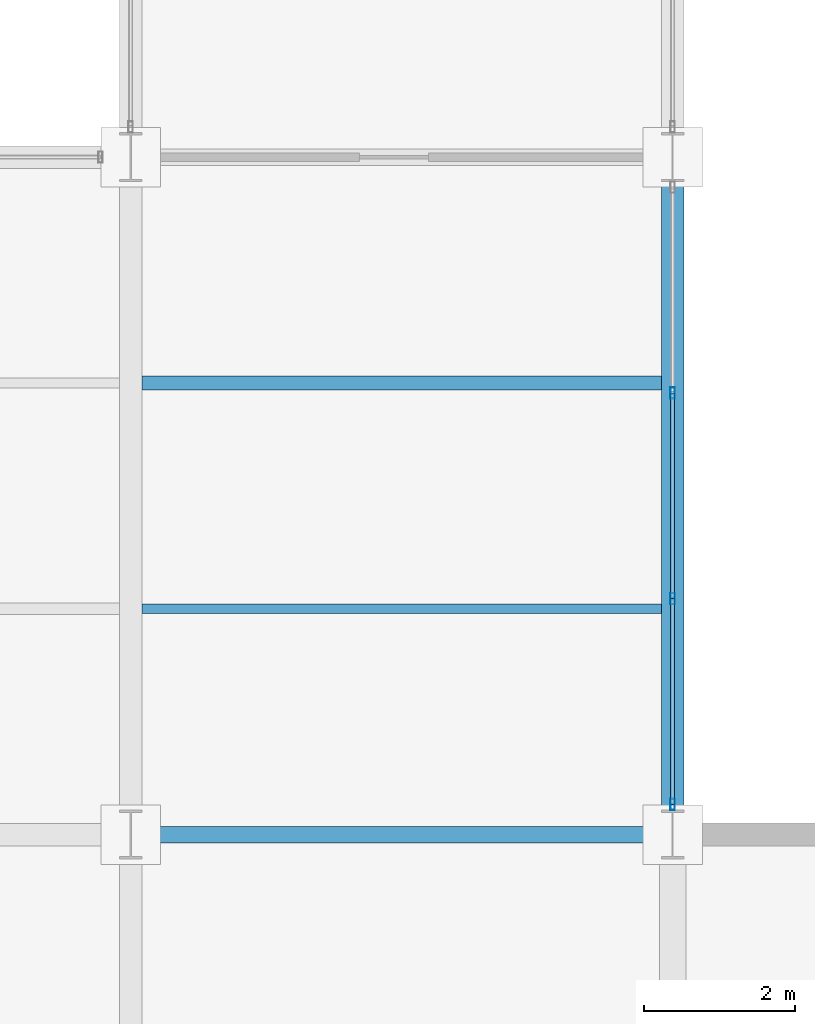
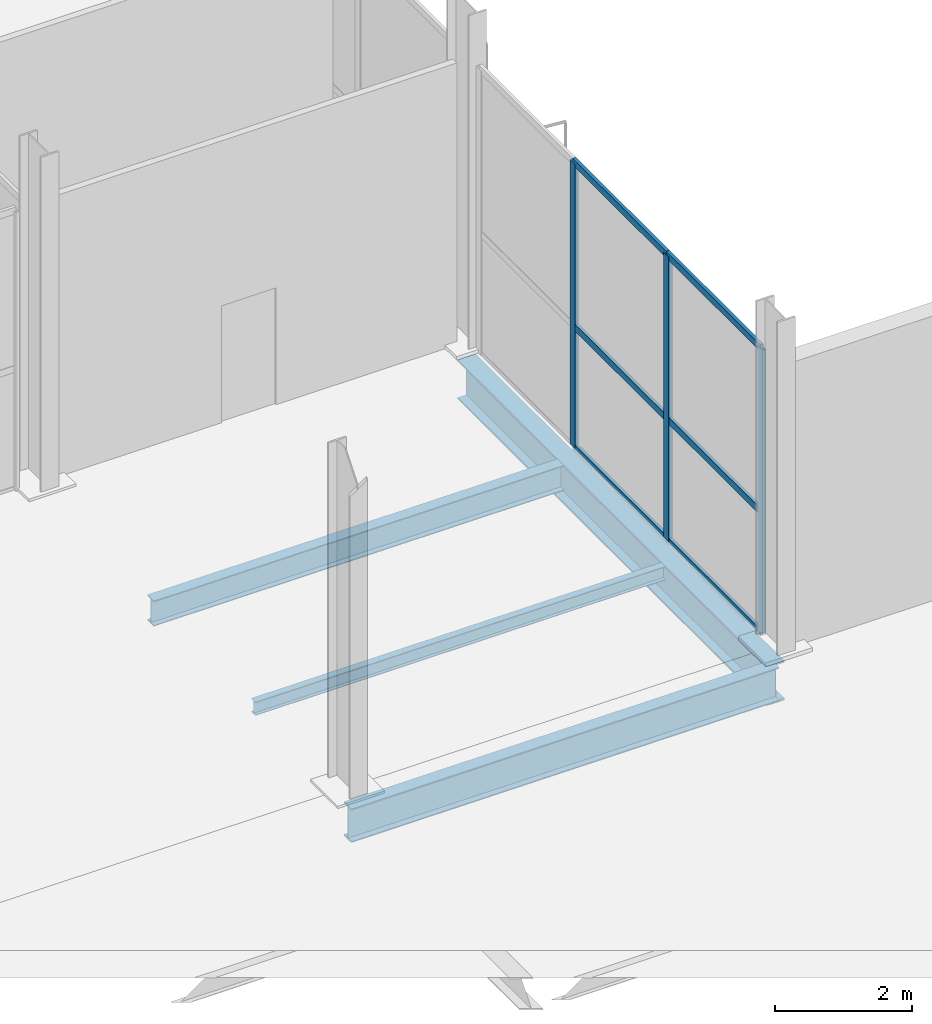
# One storey, part 90 of 144: 9 members, 4 beams, 1 element without a shape of its own.
"""IFC4 building model written with IfcOpenShell, lengths in metres."""

import ifcopenshell
import ifcopenshell.guid

model = None  # the IFC model being written
_history = None  # IfcOwnerHistory: only IFC2X3 demands one
_inside = {}  # id of a spatial element -> (the spatial element, [elements in it])
_under = {}  # id of a project, library or spatial element -> (it, [spatial elements below it])
_declared = {}  # id of a project -> (the project, [libraries it declares])
_typed = {}  # id of a type object -> (the type object, [elements of that type])
_made_of = {}  # id of a material, layer set ... -> (it, [elements and type objects made of it])


def new_model(schema):
    """Start an empty IFC model of exactly this schema.

    Asked for "IFC4X3", IfcOpenShell would pick the latest addendum, in which some entities
    have other attributes; the version numbers below select the first issue.
    IFC2X3 requires an IfcOwnerHistory on every rooted entity: one is made here for all.
    """
    global model, _history
    if schema == "IFC4X3":
        model = ifcopenshell.file(schema_version=(4, 3, 0, 0))
    else:
        model = ifcopenshell.file(schema=schema)
    _inside.clear()
    _under.clear()
    _declared.clear()
    _typed.clear()
    _made_of.clear()
    _history = None
    if model.schema == "IFC2X3":
        org = make("IfcOrganization", Name="unknown")
        user = make(
            "IfcPersonAndOrganization",
            ThePerson=make("IfcPerson", FamilyName="unknown"),
            TheOrganization=org,
        )
        app = make(
            "IfcApplication",
            ApplicationDeveloper=org,
            Version="unknown",
            ApplicationFullName="unknown",
            ApplicationIdentifier="unknown",
        )
        _history = make(
            "IfcOwnerHistory",
            OwningUser=user,
            OwningApplication=app,
            ChangeAction="ADDED",
            CreationDate=0,
        )
    return model


def make(cls, **values):
    """One entity of the class cls with the attributes given. An attribute that is None is left unset."""
    return model.create_entity(
        cls, **{name: value for name, value in values.items() if value is not None}
    )


def rooted(cls, **values):
    """An entity with a GlobalId (a new one), such as an element, a storey or a relation."""
    return make(cls, GlobalId=ifcopenshell.guid.new(), OwnerHistory=_history, **values)


def si_unit(unit_type, name, prefix=None):
    """IfcSIUnit, for example si_unit("LENGTHUNIT", "METRE", prefix="MILLI")."""
    return make("IfcSIUnit", UnitType=unit_type, Prefix=prefix, Name=name)


def assignment(units):
    """IfcUnitAssignment: the units of a project."""
    return None if units is None else make("IfcUnitAssignment", Units=units)


def point(xyz):
    """IfcCartesianPoint."""
    return None if xyz is None else make("IfcCartesianPoint", Coordinates=xyz)


def direction(xyz):
    """IfcDirection."""
    return None if xyz is None else make("IfcDirection", DirectionRatios=xyz)


def frame(location, z_axis=None, x_axis=None):
    """IfcAxis2Placement3D, a coordinate frame: its origin and axes. An axis left out is left unset."""
    return make(
        "IfcAxis2Placement3D",
        Location=point(location),
        Axis=direction(z_axis),
        RefDirection=direction(x_axis),
    )


def frame_2d(location, x_axis=None):
    """IfcAxis2Placement2D, a coordinate frame in the plane: its origin and x axis."""
    return make(
        "IfcAxis2Placement2D", Location=point(location), RefDirection=direction(x_axis)
    )


def origin():
    """The frame at (0, 0, 0) with its axes left unset."""
    return frame((0.0, 0.0, 0.0))


def origin_2d():
    """The frame at (0, 0) in the plane with its x axis left unset."""
    return frame_2d((0.0, 0.0))


def place(relative_to, where):
    """IfcLocalPlacement: puts the frame where relative to a parent placement (None: the world)."""
    return make(
        "IfcLocalPlacement", PlacementRelTo=relative_to, RelativePlacement=where
    )


def context(
    kind, dimensions, precision=None, world=None, true_north=None, identifier=None
):
    """IfcGeometricRepresentationContext, for example the 3D "Model" context."""
    return make(
        "IfcGeometricRepresentationContext",
        ContextIdentifier=identifier,
        ContextType=kind,
        CoordinateSpaceDimension=dimensions,
        Precision=precision,
        WorldCoordinateSystem=world,
        TrueNorth=true_north,
    )


def subcontext(parent, identifier, kind, view, scale=None):
    """IfcGeometricRepresentationSubContext, for example "Body" below "Model"."""
    return make(
        "IfcGeometricRepresentationSubContext",
        ContextIdentifier=identifier,
        ContextType=kind,
        ParentContext=parent,
        TargetScale=scale,
        TargetView=view,
    )


def project(units=None, contexts=None):
    """IfcProject with its units and contexts."""
    return rooted(
        "IfcProject",
        Name="project",
        RepresentationContexts=contexts,
        UnitsInContext=assignment(units),
    )


def spatial(cls, under=None, at=None, **own):
    """A site, building, storey or space (cls), placed at a placement, below another one or the project."""
    s = rooted(cls, ObjectPlacement=at, **own)
    if under is not None:
        _under.setdefault(under.id(), (under, []))[1].append(s)
    return s


def profile(cls, at=None, kind="AREA", **sizes):
    """A parametric profile (cls). Its sizes go by their IFC names, for example OverallWidth=200.0."""
    return make(cls, ProfileType=kind, Position=at, **sizes)


def hollow_rectangle(**sizes):
    """IfcRectangleHollowProfileDef."""
    return profile("IfcRectangleHollowProfileDef", **sizes)


def i_section(**sizes):
    """IfcIShapeProfileDef."""
    return profile("IfcIShapeProfileDef", **sizes)


def extrude(swept, where, along, depth):
    """IfcExtrudedAreaSolid: the profile swept, set in the frame where, extruded along a direction by depth."""
    return make(
        "IfcExtrudedAreaSolid",
        SweptArea=swept,
        Position=where,
        ExtrudedDirection=direction(along),
        Depth=depth,
    )


def shape(context_of_items, identifier, shape_type, items):
    """IfcShapeRepresentation: the items that make up one representation, for example the "Body"."""
    return make(
        "IfcShapeRepresentation",
        ContextOfItems=context_of_items,
        RepresentationIdentifier=identifier,
        RepresentationType=shape_type,
        Items=items,
    )


def material(Name=None, Category=None):
    """IfcMaterial."""
    return make("IfcMaterial", Name=Name, Category=Category)


def layer(
    of_material, thickness, ventilated=None, Name=None, Category=None, Priority=None
):
    """IfcMaterialLayer: one layer of a wall or slab, of a material (None: an air gap)."""
    return make(
        "IfcMaterialLayer",
        Material=of_material,
        LayerThickness=thickness,
        IsVentilated=ventilated,
        Name=Name,
        Category=Category,
        Priority=Priority,
    )


def layer_set(layers, Name=None):
    """IfcMaterialLayerSet."""
    return make("IfcMaterialLayerSet", MaterialLayers=layers, LayerSetName=Name)


def material_profile(
    of_material, cross_section, Name=None, Category=None, Priority=None
):
    """IfcMaterialProfile: a cross section and its material."""
    return make(
        "IfcMaterialProfile",
        Name=Name,
        Material=of_material,
        Profile=cross_section,
        Priority=Priority,
        Category=Category,
    )


def profile_set(profiles, Name=None, composite=None):
    """IfcMaterialProfileSet."""
    return make(
        "IfcMaterialProfileSet",
        Name=Name,
        MaterialProfiles=profiles,
        CompositeProfile=composite,
    )


def made_of(thing, what):
    """Note that an element or type object is made of a material, layer set ...; save() writes the relation."""
    if what is not None:
        _made_of.setdefault(what.id(), (what, []))[1].append(thing)
    return thing


def type_object(cls, material=None, **own):
    """A type object (cls), such as IfcWallType, which elements share."""
    return made_of(rooted(cls, **own), material)


def element(
    cls,
    number,
    at=None,
    inside=None,
    cuts=None,
    type_object=None,
    material=None,
    context=None,
    identifier="Body",
    shape_type=None,
    held_by="IfcProductDefinitionShape",
    body=None,
    shapes=None,
    **own,
):
    """One element of the class cls, such as IfcWall. Its Tag is "e" and its number.

    at: its placement. inside: the storey or other place that contains it. cuts: it is an
    opening in that element (IfcRelVoidsElement). A single representation is given by context,
    identifier, shape_type and body (its items); several are given by shapes. held_by: the class
    of the entity that holds the representations. save() writes the other relations.
    """
    e = rooted(cls, Tag="e%d" % number, ObjectPlacement=at, **own)
    if body is not None:
        shapes = [shape(context, identifier, shape_type, body)]
    if shapes is not None:
        e.Representation = make(held_by, Representations=shapes)
    if inside is not None:
        _inside.setdefault(inside.id(), (inside, []))[1].append(e)
    if cuts is not None:
        rooted(
            "IfcRelVoidsElement", RelatingBuildingElement=cuts, RelatedOpeningElement=e
        )
    if type_object is not None:
        _typed.setdefault(type_object.id(), (type_object, []))[1].append(e)
    return made_of(e, material)


def aggregate(whole, parts):
    """IfcRelAggregates: a whole, such as a stair, and the parts it consists of."""
    return rooted("IfcRelAggregates", RelatingObject=whole, RelatedObjects=parts)


def save(model, path):
    """Write the relations noted so far, then the file.

    IfcRelAggregates (storeys below a building ...), IfcRelContainedInSpatialStructure (elements
    in a storey), IfcRelDefinesByType, IfcRelAssociatesMaterial and IfcRelDeclares: one each for
    every whole, place, type object, material and project.
    """
    for whole, parts in _under.values():
        aggregate(whole, parts)
    for where, things in _inside.values():
        rooted(
            "IfcRelContainedInSpatialStructure",
            RelatedElements=things,
            RelatingStructure=where,
        )
    for kind, things in _typed.values():
        rooted("IfcRelDefinesByType", RelatedObjects=things, RelatingType=kind)
    for what, things in _made_of.values():
        rooted("IfcRelAssociatesMaterial", RelatedObjects=things, RelatingMaterial=what)
    for by, libraries in _declared.values():
        rooted("IfcRelDeclares", RelatingContext=by, RelatedDefinitions=libraries)
    model.write(path)


model = new_model("IFC4")

# Units and contexts
model_context = context("Model", 3, precision=1e-05, world=origin(), true_north=direction((0.0, 1.0)))
body_context = subcontext(model_context, "Body", "Model", "MODEL_VIEW")
ifc_project = project(units=[si_unit("LENGTHUNIT", "METRE"), si_unit("AREAUNIT", "SQUARE_METRE"), si_unit("VOLUMEUNIT", "CUBIC_METRE"), si_unit("PLANEANGLEUNIT", "RADIAN"), si_unit("MASSUNIT", "GRAM", prefix="KILO")], contexts=[model_context])

# Site, building, storey
site_placement = place(None, origin())
site = spatial("IfcSite", under=ifc_project, at=site_placement, CompositionType="ELEMENT")
building_placement = place(site_placement, origin())
building = spatial("IfcBuilding", under=site, at=building_placement, Name="Sundgate Opera House", CompositionType="ELEMENT")
storey_placement = place(building_placement, origin())
storey = spatial("IfcBuildingStorey", under=building, at=storey_placement, Name="L00", CompositionType="ELEMENT", Elevation=0.0)

# Beams
ifc_material_1 = material(Name="Steel S355J2", Category="steel")
ifc_material_profile_1 = material_profile(ifc_material_1, i_section(OverallWidth=0.300048828125, OverallDepth=0.699951171875, WebThickness=0.01708984375, FlangeThickness=0.031982421875, at=origin_2d()), Name="HEB 700")
ifc_profile_set_1 = profile_set([ifc_material_profile_1], Name="Steel S355J2")
beam_type_1 = type_object("IfcBeamType", Name="BM-GR-HEB700", PredefinedType="BEAM", material=ifc_profile_set_1)
beam_1_placement = place(storey_placement, frame((145.800048828125, 33.0, -0.669921875), z_axis=(0.0, 1.0, 0.0), x_axis=(-1.0, 0.0, 0.0)))
element("IfcBeam", 1, at=beam_1_placement, inside=storey, type_object=beam_type_1, Name="L00 Primary N-S Girder B0279", PredefinedType="BEAM", context=body_context, shape_type="SweptSolid", body=[
    extrude(i_section(OverallWidth=0.300048828125, OverallDepth=0.699951171875, WebThickness=0.01708984375, FlangeThickness=0.031982421875, at=origin_2d()), origin(), (0.0, 0.0, 1.0), 9.0),
])
ifc_material_2 = material(Name="Steel S355J2", Category="steel")
ifc_material_profile_2 = material_profile(ifc_material_2, i_section(OverallWidth=0.219970703125, OverallDepth=0.60009765625, WebThickness=0.011962890625, FlangeThickness=0.01904296875, at=origin_2d()), Name="IPE 600")
ifc_profile_set_2 = profile_set([ifc_material_profile_2], Name="Steel S355J2")
beam_type_2 = type_object("IfcBeamType", Name="BM-GR-IPE600", PredefinedType="BEAM", material=ifc_profile_set_2)
beam_2_placement = place(storey_placement, frame((138.60009765625, 33.0, -0.6201171875), z_axis=(1.0, 0.0, 0.0), x_axis=(0.0, 1.0, 0.0)))
element("IfcBeam", 2, at=beam_2_placement, inside=storey, type_object=beam_type_2, Name="L00 Primary E-W Girder B0402", PredefinedType="BEAM", context=body_context, shape_type="SweptSolid", body=[
    extrude(i_section(OverallWidth=0.219970703125, OverallDepth=0.60009765625, WebThickness=0.011962890625, FlangeThickness=0.01904296875, at=origin_2d()), origin(), (0.0, 0.0, 1.0), 7.199951171875),
])
ifc_material_3 = material(Name="Steel S355J2", Category="steel")
ifc_material_profile_3 = material_profile(ifc_material_3, i_section(OverallWidth=0.1201171875, OverallDepth=0.239990234375, WebThickness=0.006103515625, FlangeThickness=0.009765625, at=origin_2d()), Name="IPE 240")
ifc_profile_set_3 = profile_set([ifc_material_profile_3], Name="Steel S355J2")
beam_type_3 = type_object("IfcBeamType", Name="BM-JS-IPE240", PredefinedType="JOIST", material=ifc_profile_set_3)
beam_3_placement = place(storey_placement, frame((138.75, 36.0, -0.43994140625), z_axis=(1.0, 0.0, 0.0), x_axis=(0.0, 1.0, 0.0)))
element("IfcBeam", 3, at=beam_3_placement, inside=storey, type_object=beam_type_3, Name="L00 Secondary Floor Joist B0741", PredefinedType="JOIST", context=body_context, shape_type="SweptSolid", body=[
    extrude(i_section(OverallWidth=0.1201171875, OverallDepth=0.239990234375, WebThickness=0.006103515625, FlangeThickness=0.009765625, at=origin_2d()), origin(), (0.0, 0.0, 1.0), 6.89990234375),
])
ifc_material_4 = material(Name="Steel S355J2", Category="steel")
ifc_material_profile_4 = material_profile(ifc_material_4, i_section(OverallWidth=0.18994140625, OverallDepth=0.449951171875, WebThickness=0.009521484375, FlangeThickness=0.0146484375, at=origin_2d()), Name="IPE 450")
ifc_profile_set_4 = profile_set([ifc_material_profile_4], Name="Steel S355J2")
beam_type_4 = type_object("IfcBeamType", Name="BM-JS-IPE450", PredefinedType="JOIST", material=ifc_profile_set_4)
beam_4_placement = place(storey_placement, frame((138.75, 39.0, -0.544921875), z_axis=(1.0, 0.0, 0.0), x_axis=(0.0, 1.0, 0.0)))
element("IfcBeam", 4, at=beam_4_placement, inside=storey, type_object=beam_type_4, Name="L00 Secondary Floor Joist B0742", PredefinedType="JOIST", context=body_context, shape_type="SweptSolid", body=[
    extrude(i_section(OverallWidth=0.18994140625, OverallDepth=0.449951171875, WebThickness=0.009521484375, FlangeThickness=0.0146484375, at=origin_2d()), origin(), (0.0, 0.0, 1.0), 6.89990234375),
])

# Curtain wall, members
ifc_material_5 = material(Name="Anodized aluminium and low-iron glass", Category="aluminium")
ifc_layer = layer(ifc_material_5, 0.159912109375)
ifc_layer_set = layer_set([ifc_layer], Name="Anodized aluminium and low-iron glass")
curtain_wall_type = type_object("IfcCurtainWallType", Name="CW-STUDIO-DARK", PredefinedType="NOTDEFINED", material=ifc_layer_set)
curtain_wall_placement = place(storey_placement, origin())
curtain_wall = element("IfcCurtainWall", 5, at=curtain_wall_placement, inside=storey, type_object=curtain_wall_type, Name="L00 Curtain Wall CW027", PredefinedType="NOTDEFINED")
ifc_material_6 = material(Name="Anodized aluminium EN AW-6063", Category="aluminium")
ifc_material_profile_5 = material_profile(ifc_material_6, hollow_rectangle(XDim=0.06005859375, YDim=0.14990234375, WallThickness=0.00390625, at=origin_2d()), Name="CWM 150x60x4")
ifc_profile_set_5 = profile_set([ifc_material_profile_5], Name="Anodized aluminium EN AW-6063")
member_type_1 = type_object("IfcMemberType", Name="CWM-ALU-150x60", PredefinedType="MULLION", material=ifc_profile_set_5)
member_1_placement = place(storey_placement, frame((145.800048828125, 33.39990234375, 0.0), z_axis=(0.0, 0.0, 1.0), x_axis=(1.0, 0.0, 0.0)))
member_1 = element("IfcMember", 6, at=member_1_placement, type_object=member_type_1, Name="CW027 Mullion 1", PredefinedType="MULLION", context=body_context, shape_type="SweptSolid", body=[
    extrude(hollow_rectangle(XDim=0.06005859375, YDim=0.14990234375, WallThickness=0.00390625, at=origin_2d()), origin(), (0.0, 0.0, 1.0), 5.06494140625),
])
member_2_placement = place(storey_placement, frame((145.800048828125, 36.13330078125, 0.0), z_axis=(0.0, 0.0, 1.0), x_axis=(1.0, 0.0, 0.0)))
member_2 = element("IfcMember", 7, at=member_2_placement, type_object=member_type_1, Name="CW027 Mullion 2", PredefinedType="MULLION", context=body_context, shape_type="SweptSolid", body=[
    extrude(hollow_rectangle(XDim=0.06005859375, YDim=0.14990234375, WallThickness=0.00390625, at=origin_2d()), origin(), (0.0, 0.0, 1.0), 5.06494140625),
])
member_3_placement = place(storey_placement, frame((145.800048828125, 38.86669921875, 0.0), z_axis=(0.0, 0.0, 1.0), x_axis=(1.0, 0.0, 0.0)))
member_3 = element("IfcMember", 8, at=member_3_placement, type_object=member_type_1, Name="CW027 Mullion 3", PredefinedType="MULLION", context=body_context, shape_type="SweptSolid", body=[
    extrude(hollow_rectangle(XDim=0.06005859375, YDim=0.14990234375, WallThickness=0.00390625, at=origin_2d()), origin(), (0.0, 0.0, 1.0), 5.06494140625),
])
ifc_material_7 = material(Name="Anodized aluminium EN AW-6063", Category="aluminium")
ifc_material_profile_6 = material_profile(ifc_material_7, hollow_rectangle(XDim=0.054931640625, YDim=0.1201171875, WallThickness=0.00390625, at=origin_2d()), Name="CWT 120x55x4")
ifc_profile_set_6 = profile_set([ifc_material_profile_6], Name="Anodized aluminium EN AW-6063")
member_type_2 = type_object("IfcMemberType", Name="CWT-ALU-120x55", PredefinedType="USERDEFINED", material=ifc_profile_set_6)
member_4_placement = place(storey_placement, frame((145.800048828125, 33.39990234375, 0.0), z_axis=(0.0, 1.0, 0.0), x_axis=(-1.0, 0.0, 0.0)))
member_4 = element("IfcMember", 9, at=member_4_placement, type_object=member_type_2, Name="CW027 Transom 1", ObjectType="TRANSOM", PredefinedType="USERDEFINED", context=body_context, shape_type="SweptSolid", body=[
    extrude(hollow_rectangle(XDim=0.054931640625, YDim=0.1201171875, WallThickness=0.00390625, at=origin_2d()), origin(), (0.0, 0.0, 1.0), 2.7333984375),
])
member_5_placement = place(storey_placement, frame((145.800048828125, 33.39990234375, 2.14990234375), z_axis=(0.0, 1.0, 0.0), x_axis=(-1.0, 0.0, 0.0)))
member_5 = element("IfcMember", 10, at=member_5_placement, type_object=member_type_2, Name="CW027 Transom 2", ObjectType="TRANSOM", PredefinedType="USERDEFINED", context=body_context, shape_type="SweptSolid", body=[
    extrude(hollow_rectangle(XDim=0.054931640625, YDim=0.1201171875, WallThickness=0.00390625, at=origin_2d()), origin(), (0.0, 0.0, 1.0), 2.7333984375),
])
member_6_placement = place(storey_placement, frame((145.800048828125, 33.39990234375, 5.06494140625), z_axis=(0.0, 1.0, 0.0), x_axis=(-1.0, 0.0, 0.0)))
member_6 = element("IfcMember", 11, at=member_6_placement, type_object=member_type_2, Name="CW027 Transom 3", ObjectType="TRANSOM", PredefinedType="USERDEFINED", context=body_context, shape_type="SweptSolid", body=[
    extrude(hollow_rectangle(XDim=0.054931640625, YDim=0.1201171875, WallThickness=0.00390625, at=origin_2d()), origin(), (0.0, 0.0, 1.0), 2.7333984375),
])
member_7_placement = place(storey_placement, frame((145.800048828125, 36.13330078125, 0.0), z_axis=(0.0, 1.0, 0.0), x_axis=(-1.0, 0.0, 0.0)))
member_7 = element("IfcMember", 12, at=member_7_placement, type_object=member_type_2, Name="CW027 Transom 4", ObjectType="TRANSOM", PredefinedType="USERDEFINED", context=body_context, shape_type="SweptSolid", body=[
    extrude(hollow_rectangle(XDim=0.054931640625, YDim=0.1201171875, WallThickness=0.00390625, at=origin_2d()), origin(), (0.0, 0.0, 1.0), 2.7333984375),
])
member_8_placement = place(storey_placement, frame((145.800048828125, 36.13330078125, 2.14990234375), z_axis=(0.0, 1.0, 0.0), x_axis=(-1.0, 0.0, 0.0)))
member_8 = element("IfcMember", 13, at=member_8_placement, type_object=member_type_2, Name="CW027 Transom 5", ObjectType="TRANSOM", PredefinedType="USERDEFINED", context=body_context, shape_type="SweptSolid", body=[
    extrude(hollow_rectangle(XDim=0.054931640625, YDim=0.1201171875, WallThickness=0.00390625, at=origin_2d()), origin(), (0.0, 0.0, 1.0), 2.7333984375),
])
member_9_placement = place(storey_placement, frame((145.800048828125, 36.13330078125, 5.06494140625), z_axis=(0.0, 1.0, 0.0), x_axis=(-1.0, 0.0, 0.0)))
member_9 = element("IfcMember", 14, at=member_9_placement, type_object=member_type_2, Name="CW027 Transom 6", ObjectType="TRANSOM", PredefinedType="USERDEFINED", context=body_context, shape_type="SweptSolid", body=[
    extrude(hollow_rectangle(XDim=0.054931640625, YDim=0.1201171875, WallThickness=0.00390625, at=origin_2d()), origin(), (0.0, 0.0, 1.0), 2.7333984375),
])
aggregate(curtain_wall, [member_1, member_2, member_3, member_4, member_5, member_6, member_7, member_8, member_9])

save(model, "model.ifc")
